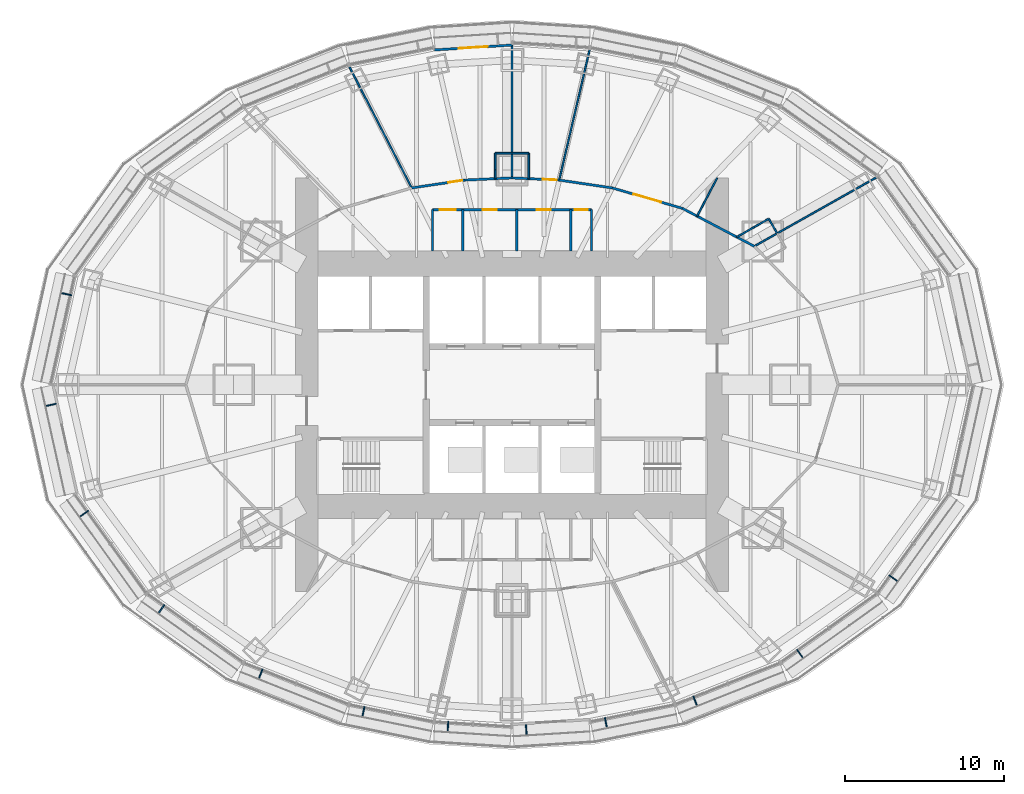
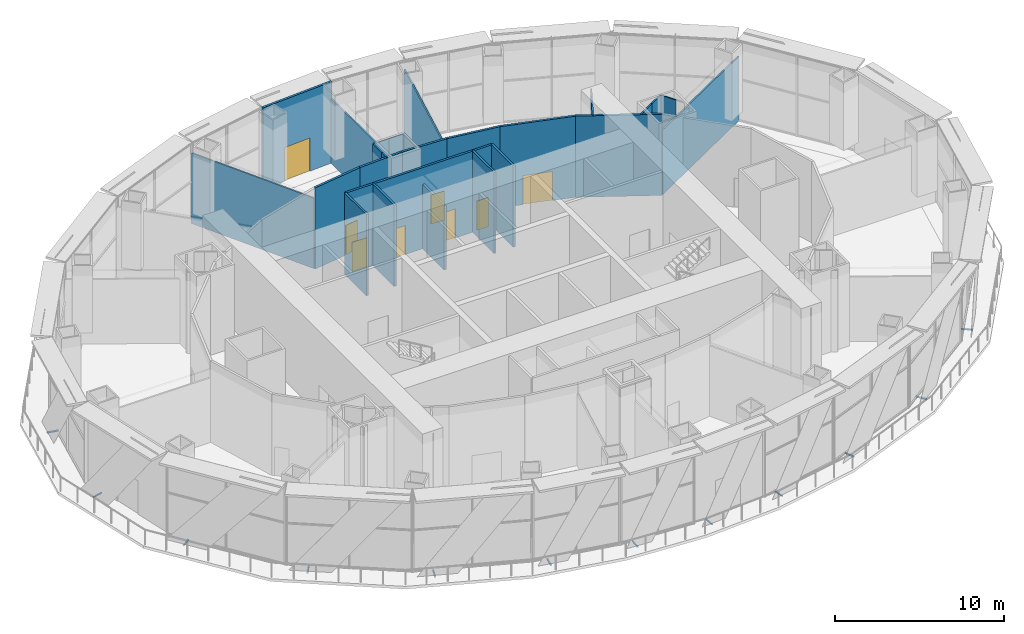
# One storey, part 14 of 21: 26 walls, 12 discrete accessories, 8 doors, 8 openings.
"""IFC4 building model written with IfcOpenShell, lengths in metres."""

from ifc_helpers import new_model, si_unit, direction, frame, frame_2d, origin, origin_2d, place, context, subcontext, project, spatial, rectangle, extrude, material, layer, layer_set, type_object, element, fill, save


model = new_model("IFC4")

# Units and contexts
model_context = context("Model", 3, precision=1e-05, world=origin(), true_north=direction((0.0, 1.0)))
body_context = subcontext(model_context, "Body", "Model", "MODEL_VIEW")
ifc_project = project(units=[si_unit("LENGTHUNIT", "METRE"), si_unit("AREAUNIT", "SQUARE_METRE"), si_unit("VOLUMEUNIT", "CUBIC_METRE"), si_unit("PLANEANGLEUNIT", "RADIAN"), si_unit("MASSUNIT", "GRAM", prefix="KILO")], contexts=[model_context])

# Site, building, storey
site_placement = place(None, origin())
site = spatial("IfcSite", under=ifc_project, at=site_placement, CompositionType="ELEMENT")
building_placement = place(site_placement, origin())
building = spatial("IfcBuilding", under=site, at=building_placement, Name="Lantaw Convention Tower", CompositionType="ELEMENT")
storey_placement = place(building_placement, frame((0.0, 0.0, 111.39990234375)))
storey = spatial("IfcBuildingStorey", under=building, at=storey_placement, Name="L26", CompositionType="ELEMENT", Elevation=111.39990234375)

# Walls
ifc_material_1 = material(Name="Fire-rated board casing on steel studs", Category="steel")
ifc_layer_1 = layer(ifc_material_1, 0.10009765625)
ifc_layer_set_1 = layer_set([ifc_layer_1], Name="Casing wall 100 EI 120")
wall_type_1 = type_object("IfcWallType", Name="Casing wall 100 EI 120", PredefinedType="PARTITIONING", material=ifc_layer_set_1)
wall_1_placement = place(storey_placement, frame((14.128173828125, 9.28271484375, 0.0), z_axis=(0.0, 0.0, 1.0), x_axis=(0.868290539594, 0.496055983587, 0.0)))
element("IfcWall", 1, at=wall_1_placement, inside=storey, type_object=wall_type_1, Name="Casing wall 100", PredefinedType="PARTITIONING", context=body_context, shape_type="SweptSolid", body=[
    extrude(rectangle(XDim=1.267822265625, YDim=0.10009765625, at=frame_2d((0.6337890625, 0.0))), origin(), (0.0, 0.0, 1.0), 5.85009765625),
])
for number, where, z_axis, x_axis, name in (
    (2, (15.22900390625, 9.91162109375, 0.0), (0.0, 0.0, 1.0), (0.868214523334, 0.496189017888, 0.0), "Casing wall 100"),
    (3, (16.140625, 10.4326171875, 0.0), (0.0, 0.0, 1.0), (0.496189017888, -0.868214523334, 0.0), "Casing wall 100"),
):
    element("IfcWall", number, at=place(storey_placement, frame(where, z_axis=z_axis, x_axis=x_axis)), inside=storey, type_object=wall_type_1, Name=name, PredefinedType="PARTITIONING", context=body_context, shape_type="SweptSolid", body=[
        extrude(rectangle(XDim=1.050048828125, YDim=0.10009765625, at=frame_2d((0.52490234375, 0.0))), origin(), (0.0, 0.0, 1.0), 5.85009765625),
    ])
wall_2_placement = place(storey_placement, frame((-1.050048828125, 12.951416015625, 0.0), z_axis=(0.0, 0.0, 1.0), x_axis=(0.0, 1.0, 0.0)))
element("IfcWall", 4, at=wall_2_placement, inside=storey, type_object=wall_type_1, Name="Casing wall 100", PredefinedType="PARTITIONING", context=body_context, shape_type="SweptSolid", body=[
    extrude(rectangle(XDim=0.548583984375, YDim=0.10009765625, at=frame_2d((0.2744140625, 0.0))), origin(), (0.0, 0.0, 1.0), 5.85009765625),
])
for number, where, z_axis, x_axis, name in (
    (5, (-1.050048828125, 13.5, 0.0), (0.0, 0.0, 1.0), (0.0, 1.0, 0.0), "Casing wall 100"),
    (6, (-1.050048828125, 14.550048828125, 0.0), (0.0, 0.0, 1.0), (1.0, 0.0, 0.0), "Casing wall 100"),
    (7, (0.0, 14.550048828125, 0.0), (0.0, 0.0, 1.0), (1.0, 0.0, 0.0), "Casing wall 100"),
):
    element("IfcWall", number, at=place(storey_placement, frame(where, z_axis=z_axis, x_axis=x_axis)), inside=storey, type_object=wall_type_1, Name=name, PredefinedType="PARTITIONING", context=body_context, shape_type="SweptSolid", body=[
        extrude(rectangle(XDim=1.050048828125, YDim=0.10009765625, at=frame_2d((0.52490234375, 0.0))), origin(), (0.0, 0.0, 1.0), 5.85009765625),
    ])
wall_3_placement = place(storey_placement, frame((1.050048828125, 14.550048828125, 0.0), z_axis=(0.0, 0.0, 1.0), x_axis=(0.0, -1.0, 0.0)))
element("IfcWall", 8, at=wall_3_placement, inside=storey, type_object=wall_type_1, Name="Casing wall 100", PredefinedType="PARTITIONING", context=body_context, shape_type="SweptSolid", body=[
    extrude(rectangle(XDim=1.5986328125, YDim=0.10009765625, at=frame_2d((0.79931640625, 0.0))), origin(), (0.0, 0.0, 1.0), 5.85009765625),
])
ifc_material_2 = material(Name="Gypsum board on steel studs, fire rated", Category="steel")
ifc_layer_2 = layer(ifc_material_2, 0.14990234375)
ifc_layer_set_2 = layer_set([ifc_layer_2], Name="Corridor wall 150 EI 60")
wall_type_2 = type_object("IfcWallType", Name="Corridor wall 150 EI 60", PredefinedType="PARTITIONING", material=ifc_layer_set_2)
wall_4_placement = place(storey_placement, frame((15.229248046875, 8.702392578125, 0.0), z_axis=(0.0, 0.0, 1.0), x_axis=(-0.884643590306, 0.466267860924, 0.0)))
element("IfcWall", 9, at=wall_4_placement, inside=storey, type_object=wall_type_2, Name="Corridor wall 150", PredefinedType="PARTITIONING", context=body_context, shape_type="SweptSolid", body=[
    extrude(rectangle(XDim=5.113037109375, YDim=0.14990234375, at=frame_2d((2.556640625, 0.0))), origin(), (0.0, 0.0, 1.0), 5.85009765625),
])

# Wall, opening, door
wall_5_placement = place(storey_placement, frame((10.7060546875, 11.08642578125, 0.0), z_axis=(0.0, 0.0, 1.0), x_axis=(-0.96001728753, 0.279940721659, 0.0)))
wall_5 = element("IfcWall", 10, at=wall_5_placement, inside=storey, type_object=wall_type_2, Name="Corridor wall 150", PredefinedType="PARTITIONING", context=body_context, shape_type="SweptSolid", body=[
    extrude(rectangle(XDim=4.58642578125, YDim=0.14990234375, at=frame_2d((2.293212890625, 0.0))), origin(), (0.0, 0.0, 1.0), 5.85009765625),
])
opening_1_placement = place(wall_5_placement, frame((1.393310546875, 0.0, 0.0)))
opening_1 = element("IfcOpeningElement", 11, at=opening_1_placement, cuts=wall_5, Name="Opening L26.26", PredefinedType="OPENING", context=body_context, shape_type="SweptSolid", body=[
    extrude(rectangle(XDim=1.800048828125, YDim=2.10009765625, at=frame_2d((0.89990234375, 1.050048828125))), frame((0.0, 0.0849609375, 0.0), z_axis=(0.0, -1.0, 0.0), x_axis=(1.0, 0.0, 0.0)), (0.0, 0.0, 1.0), 0.169921875),
])
ifc_material_3 = material(Name="Steel, fire rated", Category="steel")
door_type_1 = type_object("IfcDoorType", Name="Office double door 1800 FD30", OperationType="DOUBLE_DOOR_DOUBLE_SWING", PredefinedType="DOOR", material=ifc_material_3)
door_1_placement = place(opening_1_placement, origin())
door_1 = element("IfcDoor", 12, at=door_1_placement, inside=storey, type_object=door_type_1, Name="Building management office door", OperationType="DOUBLE_DOOR_DOUBLE_SWING", OverallHeight=2.10009765625, OverallWidth=1.800048828125, PredefinedType="DOOR", context=body_context, shape_type="SweptSolid", body=[
    extrude(rectangle(XDim=1.800048828125, YDim=2.10009765625, at=frame_2d((0.89990234375, 1.050048828125))), frame((0.0, 0.02490234375, 0.0), z_axis=(0.0, -1.0, 0.0), x_axis=(1.0, 0.0, 0.0)), (0.0, 0.0, 1.0), 0.050048828125),
])
fill(opening_1, door_1)

# Wall
wall_6_placement = place(storey_placement, frame((6.302978515625, 12.370361328125, 0.0), z_axis=(0.0, 0.0, 1.0), x_axis=(-0.989262902935, 0.146146874329, 0.0)))
element("IfcWall", 13, at=wall_6_placement, inside=storey, type_object=wall_type_2, Name="Corridor wall 150", PredefinedType="PARTITIONING", context=body_context, shape_type="SweptSolid", body=[
    extrude(rectangle(XDim=3.369384765625, YDim=0.14990234375, at=frame_2d((1.6845703125, 0.0))), origin(), (0.0, 0.0, 1.0), 5.85009765625),
])

# Wall, opening, door
wall_7_placement = place(storey_placement, frame((2.9697265625, 12.86279296875, 0.0), z_axis=(0.0, 0.0, 1.0), x_axis=(-0.998934397568, 0.046152674403, 0.0)))
wall_7 = element("IfcWall", 14, at=wall_7_placement, inside=storey, type_object=wall_type_2, Name="Corridor wall 150", PredefinedType="PARTITIONING", context=body_context, shape_type="SweptSolid", body=[
    extrude(rectangle(XDim=2.972900390625, YDim=0.14990234375, at=frame_2d((1.486328125, 0.0))), origin(), (0.0, 0.0, 1.0), 5.85009765625),
])
opening_2_placement = place(wall_7_placement, frame((0.14990234375, 0.0, 0.0)))
opening_2 = element("IfcOpeningElement", 15, at=opening_2_placement, cuts=wall_7, Name="Opening L26.27", PredefinedType="OPENING", context=body_context, shape_type="SweptSolid", body=[
    extrude(rectangle(XDim=0.89990234375, YDim=2.10009765625, at=frame_2d((0.449951171875, 1.050048828125))), frame((0.0, 0.0849609375, 0.0), z_axis=(0.0, -1.0, 0.0), x_axis=(1.0, 0.0, 0.0)), (0.0, 0.0, 1.0), 0.169921875),
])
door_type_2 = type_object("IfcDoorType", Name="Office door 900 FD30", OperationType="SINGLE_SWING_LEFT", PredefinedType="DOOR", material=ifc_material_3)
door_2_placement = place(opening_2_placement, origin())
door_2 = element("IfcDoor", 16, at=door_2_placement, inside=storey, type_object=door_type_2, Name="First-aid room door", OperationType="SINGLE_SWING_LEFT", OverallHeight=2.10009765625, OverallWidth=0.89990234375, PredefinedType="DOOR", context=body_context, shape_type="SweptSolid", body=[
    extrude(rectangle(XDim=0.89990234375, YDim=2.10009765625, at=frame_2d((0.449951171875, 1.050048828125))), frame((0.0, 0.02490234375, 0.0), z_axis=(0.0, -1.0, 0.0), x_axis=(1.0, 0.0, 0.0)), (0.0, 0.0, 1.0), 0.050048828125),
])
fill(opening_2, door_2)

# Wall
wall_8_placement = place(storey_placement, frame((0.0, 13.0, 0.0), z_axis=(0.0, 0.0, 1.0), x_axis=(-0.998934397568, -0.046152674403, 0.0)))
element("IfcWall", 17, at=wall_8_placement, inside=storey, type_object=wall_type_2, Name="Corridor wall 150", PredefinedType="PARTITIONING", context=body_context, shape_type="SweptSolid", body=[
    extrude(rectangle(XDim=2.972900390625, YDim=0.14990234375, at=frame_2d((1.486328125, 0.0))), origin(), (0.0, 0.0, 1.0), 5.85009765625),
])

# Wall, opening, door
wall_9_placement = place(storey_placement, frame((-2.9697265625, 12.86279296875, 0.0), z_axis=(0.0, 0.0, 1.0), x_axis=(-0.989262902935, -0.146146874329, 0.0)))
wall_9 = element("IfcWall", 18, at=wall_9_placement, inside=storey, type_object=wall_type_2, Name="Corridor wall 150", PredefinedType="PARTITIONING", context=body_context, shape_type="SweptSolid", body=[
    extrude(rectangle(XDim=3.369384765625, YDim=0.14990234375, at=frame_2d((1.6845703125, 0.0))), origin(), (0.0, 0.0, 1.0), 5.85009765625),
])
opening_3_placement = place(wall_9_placement, frame((0.14990234375, 0.0, 0.0)))
opening_3 = element("IfcOpeningElement", 19, at=opening_3_placement, cuts=wall_9, Name="Opening L26.28", PredefinedType="OPENING", context=body_context, shape_type="SweptSolid", body=[
    extrude(rectangle(XDim=0.89990234375, YDim=2.10009765625, at=frame_2d((0.449951171875, 1.050048828125))), frame((0.0, 0.0849609375, 0.0), z_axis=(0.0, -1.0, 0.0), x_axis=(1.0, 0.0, 0.0)), (0.0, 0.0, 1.0), 0.169921875),
])
door_3_placement = place(opening_3_placement, origin())
door_3 = element("IfcDoor", 20, at=door_3_placement, inside=storey, type_object=door_type_2, Name="Fitness centre door", OperationType="SINGLE_SWING_LEFT", OverallHeight=2.10009765625, OverallWidth=0.89990234375, PredefinedType="DOOR", context=body_context, shape_type="SweptSolid", body=[
    extrude(rectangle(XDim=0.89990234375, YDim=2.10009765625, at=frame_2d((0.449951171875, 1.050048828125))), frame((0.0, 0.02490234375, 0.0), z_axis=(0.0, -1.0, 0.0), x_axis=(1.0, 0.0, 0.0)), (0.0, 0.0, 1.0), 0.050048828125),
])
fill(opening_3, door_3)

ifc_material_4 = material(Name="Aluminium framed glazing", Category="aluminium")
ifc_layer_3 = layer(ifc_material_4, 0.14990234375)
ifc_layer_set_3 = layer_set([ifc_layer_3], Name="Glazed entrance screen 150")
wall_type_3 = type_object("IfcWallType", Name="Glazed entrance screen 150", PredefinedType="ELEMENTEDWALL", material=ifc_layer_set_3)
wall_10_placement = place(storey_placement, frame((0.009521484375, 21.350341796875, 0.0), z_axis=(0.0, 0.0, 1.0), x_axis=(-0.998023012605, -0.062849552989, 0.0)))
wall_10 = element("IfcWall", 21, at=wall_10_placement, inside=storey, type_object=wall_type_3, Name="Glazed entrance screen", PredefinedType="ELEMENTEDWALL", context=body_context, shape_type="SweptSolid", body=[
    extrude(rectangle(XDim=4.90234375, YDim=0.14990234375, at=frame_2d((2.451171875, 0.0))), origin(), (0.0, 0.0, 1.0), 5.85009765625),
])
opening_4_placement = place(wall_10_placement, frame((1.551025390625, 0.0, 0.0)))
opening_4 = element("IfcOpeningElement", 22, at=opening_4_placement, cuts=wall_10, Name="Opening L26.E06", PredefinedType="OPENING", context=body_context, shape_type="SweptSolid", body=[
    extrude(rectangle(XDim=1.800048828125, YDim=2.39990234375, at=frame_2d((0.89990234375, 1.199951171875))), frame((0.0, 0.0849609375, 0.0), z_axis=(0.0, -1.0, 0.0), x_axis=(1.0, 0.0, 0.0)), (0.0, 0.0, 1.0), 0.169921875),
])
ifc_material_5 = material(Name="Aluminium and glass", Category="aluminium")
door_type_3 = type_object("IfcDoorType", Name="Terrace door 1800", OperationType="DOUBLE_DOOR_DOUBLE_SWING", PredefinedType="DOOR", material=ifc_material_5)
door_4_placement = place(opening_4_placement, origin())
door_4 = element("IfcDoor", 23, at=door_4_placement, inside=storey, type_object=door_type_3, Name="Terrace door", OperationType="DOUBLE_DOOR_DOUBLE_SWING", OverallHeight=2.39990234375, OverallWidth=1.800048828125, PredefinedType="DOOR", context=body_context, shape_type="SweptSolid", body=[
    extrude(rectangle(XDim=1.800048828125, YDim=2.39990234375, at=frame_2d((0.89990234375, 1.199951171875))), frame((0.0, 0.02490234375, 0.0), z_axis=(0.0, -1.0, 0.0), x_axis=(1.0, 0.0, 0.0)), (0.0, 0.0, 1.0), 0.050048828125),
])
fill(opening_4, door_4)

# Walls
ifc_material_6 = material(Name="Gypsum board on steel studs, acoustic", Category="steel")
ifc_layer_4 = layer(ifc_material_6, 0.10009765625)
ifc_layer_set_4 = layer_set([ifc_layer_4], Name="Office partition 100")
wall_type_4 = type_object("IfcWallType", Name="Office partition 100", PredefinedType="PARTITIONING", material=ifc_layer_set_4)
wall_11_placement = place(storey_placement, frame((22.94921875, 13.05908203125, 0.0), z_axis=(0.0, 0.0, 1.0), x_axis=(-0.870889908693, -0.491478144923, 0.0)))
element("IfcWall", 24, at=wall_11_placement, inside=storey, type_object=wall_type_4, Name="Office partition 100", PredefinedType="PARTITIONING", context=body_context, shape_type="SweptSolid", body=[
    extrude(rectangle(XDim=8.864501953125, YDim=0.10009765625, at=frame_2d((4.43212890625, 0.0))), origin(), (0.0, 0.0, 1.0), 4.650146484375),
])
wall_12_placement = place(storey_placement, frame((4.89697265625, 21.134765625, 0.0), z_axis=(0.0, 0.0, 1.0), x_axis=(-0.226907932986, -0.973916213002, 0.0)))
element("IfcWall", 25, at=wall_12_placement, inside=storey, type_object=wall_type_4, Name="Office partition 100", PredefinedType="PARTITIONING", context=body_context, shape_type="SweptSolid", body=[
    extrude(rectangle(XDim=8.493408203125, YDim=0.10009765625, at=frame_2d((4.24658203125, 0.0))), origin(), (0.0, 0.0, 1.0), 5.149169921875),
])
wall_13_placement = place(storey_placement, frame((0.0, 21.32470703125, 0.0), z_axis=(0.0, 0.0, 1.0), x_axis=(0.0, -1.0, 0.0)))
element("IfcWall", 26, at=wall_13_placement, inside=storey, type_object=wall_type_4, Name="Office partition 100", PredefinedType="PARTITIONING", context=body_context, shape_type="SweptSolid", body=[
    extrude(rectangle(XDim=8.32470703125, YDim=0.10009765625, at=frame_2d((4.162353515625, 0.0))), origin(), (0.0, 0.0, 1.0), 4.650146484375),
])
wall_14_placement = place(storey_placement, frame((-10.253173828125, 20.0517578125, 0.0), z_axis=(0.0, 0.0, 1.0), x_axis=(0.457326298316, -0.88929896934, 0.0)))
element("IfcWall", 27, at=wall_14_placement, inside=storey, type_object=wall_type_4, Name="Office partition 100", PredefinedType="PARTITIONING", context=body_context, shape_type="SweptSolid", body=[
    extrude(rectangle(XDim=8.6376953125, YDim=0.10009765625, at=frame_2d((4.31884765625, 0.0))), origin(), (0.0, 0.0, 1.0), 5.08056640625),
])
wall_15_placement = place(storey_placement, frame((12.89990234375, 13.0, 0.0), z_axis=(0.0, 0.0, 1.0), x_axis=(-0.466205800243, -0.884676297761, 0.0)))
element("IfcWall", 28, at=wall_15_placement, inside=storey, type_object=wall_type_4, Name="Office partition 100", PredefinedType="PARTITIONING", context=body_context, shape_type="SweptSolid", body=[
    extrude(rectangle(XDim=2.7158203125, YDim=0.10009765625, at=frame_2d((1.35791015625, 0.0))), origin(), (0.0, 0.0, 1.0), 5.85009765625),
])

# Wall, openings, doors
ifc_material_7 = material(Name="Concrete blockwork", Category="masonry")
ifc_layer_5 = layer(ifc_material_7, 0.14990234375)
ifc_layer_set_5 = layer_set([ifc_layer_5], Name="WC wall 150")
wall_type_5 = type_object("IfcWallType", Name="WC wall 150", PredefinedType="SOLIDWALL", material=ifc_layer_set_5)
wall_16_placement = place(storey_placement, frame((-5.0, 11.007080078125, 0.0), z_axis=(0.0, 0.0, 1.0), x_axis=(1.0, 0.0, 0.0)))
wall_16 = element("IfcWall", 29, at=wall_16_placement, inside=storey, type_object=wall_type_5, Name="WC wall 150", PredefinedType="SOLIDWALL", context=body_context, shape_type="SweptSolid", body=[
    extrude(rectangle(XDim=10.0, YDim=0.14990234375, at=frame_2d((5.0, 0.0))), origin(), (0.0, 0.0, 1.0), 5.85009765625),
])
opening_5_placement = place(wall_16_placement, frame((0.449951171875, 0.0, 0.0)))
opening_5 = element("IfcOpeningElement", 30, at=opening_5_placement, cuts=wall_16, Name="Opening L26.17", PredefinedType="OPENING", context=body_context, shape_type="SweptSolid", body=[
    extrude(rectangle(XDim=1.0, YDim=2.10009765625, at=frame_2d((0.5, 1.050048828125))), frame((0.0, 0.0849609375, 0.0), z_axis=(0.0, -1.0, 0.0), x_axis=(1.0, 0.0, 0.0)), (0.0, 0.0, 1.0), 0.169921875),
])
opening_6_placement = place(wall_16_placement, frame((3.14990234375, 0.0, 0.0)))
opening_6 = element("IfcOpeningElement", 31, at=opening_6_placement, cuts=wall_16, Name="Opening L26.18", PredefinedType="OPENING", context=body_context, shape_type="SweptSolid", body=[
    extrude(rectangle(XDim=0.89990234375, YDim=2.10009765625, at=frame_2d((0.449951171875, 1.050048828125))), frame((0.0, 0.0849609375, 0.0), z_axis=(0.0, -1.0, 0.0), x_axis=(1.0, 0.0, 0.0)), (0.0, 0.0, 1.0), 0.169921875),
])
opening_7_placement = place(wall_16_placement, frame((6.550048828125, 0.0, 0.0)))
opening_7 = element("IfcOpeningElement", 32, at=opening_7_placement, cuts=wall_16, Name="Opening L26.19", PredefinedType="OPENING", context=body_context, shape_type="SweptSolid", body=[
    extrude(rectangle(XDim=0.89990234375, YDim=2.10009765625, at=frame_2d((0.449951171875, 1.050048828125))), frame((0.0, 0.0849609375, 0.0), z_axis=(0.0, -1.0, 0.0), x_axis=(1.0, 0.0, 0.0)), (0.0, 0.0, 1.0), 0.169921875),
])
opening_8_placement = place(wall_16_placement, frame((8.949951171875, 0.0, 0.0)))
opening_8 = element("IfcOpeningElement", 33, at=opening_8_placement, cuts=wall_16, Name="Opening L26.20", PredefinedType="OPENING", context=body_context, shape_type="SweptSolid", body=[
    extrude(rectangle(XDim=0.800048828125, YDim=2.10009765625, at=frame_2d((0.39990234375, 1.050048828125))), frame((0.0, 0.0849609375, 0.0), z_axis=(0.0, -1.0, 0.0), x_axis=(1.0, 0.0, 0.0)), (0.0, 0.0, 1.0), 0.169921875),
])
ifc_material_8 = material(Name="Timber", Category="wood")
door_type_4 = type_object("IfcDoorType", Name="Accessible WC door 1000", OperationType="SINGLE_SWING_LEFT", PredefinedType="DOOR", material=ifc_material_8)
door_5_placement = place(opening_5_placement, origin())
door_5 = element("IfcDoor", 34, at=door_5_placement, inside=storey, type_object=door_type_4, Name="Accessible WC door", OperationType="SINGLE_SWING_LEFT", OverallHeight=2.10009765625, OverallWidth=1.0, PredefinedType="DOOR", context=body_context, shape_type="SweptSolid", body=[
    extrude(rectangle(XDim=1.0, YDim=2.10009765625, at=frame_2d((0.5, 1.050048828125))), frame((0.0, 0.02490234375, 0.0), z_axis=(0.0, -1.0, 0.0), x_axis=(1.0, 0.0, 0.0)), (0.0, 0.0, 1.0), 0.050048828125),
])
fill(opening_5, door_5)
door_type_5 = type_object("IfcDoorType", Name="WC door 800", OperationType="SINGLE_SWING_LEFT", PredefinedType="DOOR", material=ifc_material_8)
door_6_placement = place(opening_8_placement, origin())
door_6 = element("IfcDoor", 35, at=door_6_placement, inside=storey, type_object=door_type_5, Name="Cleaner's store door", OperationType="SINGLE_SWING_LEFT", OverallHeight=2.10009765625, OverallWidth=0.800048828125, PredefinedType="DOOR", context=body_context, shape_type="SweptSolid", body=[
    extrude(rectangle(XDim=0.800048828125, YDim=2.10009765625, at=frame_2d((0.39990234375, 1.050048828125))), frame((0.0, 0.02490234375, 0.0), z_axis=(0.0, -1.0, 0.0), x_axis=(1.0, 0.0, 0.0)), (0.0, 0.0, 1.0), 0.050048828125),
])
fill(opening_8, door_6)
door_type_6 = type_object("IfcDoorType", Name="WC door 900", OperationType="SINGLE_SWING_LEFT", PredefinedType="DOOR", material=ifc_material_8)
door_7_placement = place(opening_6_placement, origin())
door_7 = element("IfcDoor", 36, at=door_7_placement, inside=storey, type_object=door_type_6, Name="Male WC door", OperationType="SINGLE_SWING_LEFT", OverallHeight=2.10009765625, OverallWidth=0.89990234375, PredefinedType="DOOR", context=body_context, shape_type="SweptSolid", body=[
    extrude(rectangle(XDim=0.89990234375, YDim=2.10009765625, at=frame_2d((0.449951171875, 1.050048828125))), frame((0.0, 0.02490234375, 0.0), z_axis=(0.0, -1.0, 0.0), x_axis=(1.0, 0.0, 0.0)), (0.0, 0.0, 1.0), 0.050048828125),
])
fill(opening_6, door_7)
door_8_placement = place(opening_7_placement, origin())
door_8 = element("IfcDoor", 37, at=door_8_placement, inside=storey, type_object=door_type_6, Name="Female WC door", OperationType="SINGLE_SWING_LEFT", OverallHeight=2.10009765625, OverallWidth=0.89990234375, PredefinedType="DOOR", context=body_context, shape_type="SweptSolid", body=[
    extrude(rectangle(XDim=0.89990234375, YDim=2.10009765625, at=frame_2d((0.449951171875, 1.050048828125))), frame((0.0, 0.02490234375, 0.0), z_axis=(0.0, -1.0, 0.0), x_axis=(1.0, 0.0, 0.0)), (0.0, 0.0, 1.0), 0.050048828125),
])
fill(opening_7, door_8)

# Walls
for number, where, z_axis, x_axis, name in (
    (38, (-5.0, 8.39990234375, 0.0), (0.0, 0.0, 1.0), (0.0, 1.0, 0.0), "WC wall 150"),
    (39, (5.0, 8.39990234375, 0.0), (0.0, 0.0, 1.0), (0.0, 1.0, 0.0), "WC wall 150"),
    (40, (-3.10009765625, 8.39990234375, 0.0), (0.0, 0.0, 1.0), (0.0, 1.0, 0.0), "WC wall 150"),
):
    element("IfcWall", number, at=place(storey_placement, frame(where, z_axis=z_axis, x_axis=x_axis)), inside=storey, type_object=wall_type_5, Name=name, PredefinedType="SOLIDWALL", context=body_context, shape_type="SweptSolid", body=[
        extrude(rectangle(XDim=2.607177734375, YDim=0.14990234375, at=frame_2d((1.3037109375, 0.0))), origin(), (0.0, 0.0, 1.0), 5.85009765625),
    ])
wall_17_placement = place(storey_placement, frame((0.300048828125, 8.39990234375, 0.0), z_axis=(0.0, 0.0, 1.0), x_axis=(0.0, 1.0, 0.0)))
element("IfcWall", 41, at=wall_17_placement, inside=storey, type_object=wall_type_5, Name="WC wall 150", PredefinedType="SOLIDWALL", context=body_context, shape_type="SweptSolid", body=[
    extrude(rectangle(XDim=2.607177734375, YDim=0.14990234375, at=frame_2d((1.3037109375, 0.0))), origin(), (0.0, 0.0, 1.0), 4.650146484375),
])
wall_18_placement = place(storey_placement, frame((3.699951171875, 8.39990234375, 0.0), z_axis=(0.0, 0.0, 1.0), x_axis=(0.0, 1.0, 0.0)))
element("IfcWall", 42, at=wall_18_placement, inside=storey, type_object=wall_type_5, Name="WC wall 150", PredefinedType="SOLIDWALL", context=body_context, shape_type="SweptSolid", body=[
    extrude(rectangle(XDim=2.607177734375, YDim=0.14990234375, at=frame_2d((1.3037109375, 0.0))), origin(), (0.0, 0.0, 1.0), 5.85009765625),
])

# Discrete accessories
for number, where, z_axis, x_axis, name in (
    (43, (-28.008056640625, 5.6953125, -0.139892578125), (0.0, 0.0, 1.0), (-0.215546166174, -0.9764936509, 0.0), "Screen bracket"),
    (44, (-28.98486328125, -1.269775390625, -0.139892578125), (0.0, 0.0, 1.0), (0.215546166174, -0.9764936509, 0.0), "Screen bracket"),
    (45, (-26.900146484375, -8.111572265625, -0.139892578125), (0.0, 0.0, 1.0), (0.584512597221, -0.811384633629, 0.0), "Screen bracket"),
    (46, (-22.044189453125, -14.10546875, -0.139892578125), (0.0, 0.0, 1.0), (0.813208325995, -0.581972695693, 0.0), "Screen bracket"),
    (47, (-15.802978515625, -18.18798828125, -0.139892578125), (0.0, 0.0, 1.0), (0.929547687544, -0.368701907483, 0.0), "Screen bracket"),
    (48, (-9.339599609375, -20.56005859375, -0.139892578125), (0.0, 0.0, 1.0), (0.980301514912, -0.197506809659, 0.0), "Screen bracket"),
    (49, (-4.027099609375, -21.505859375, -0.139892578125), (0.0, 0.0, 1.0), (0.998022035978, -0.062865059466, 0.0), "Screen bracket"),
    (50, (0.89794921875, -21.702880859375, -0.139892578125), (0.0, 0.0, 1.0), (0.998022035978, 0.062865059466, 0.0), "Screen bracket"),
    (51, (5.903076171875, -21.25244140625, -0.139892578125), (0.0, 0.0, 1.0), (0.980301514912, 0.197506809659, 0.0), "Screen bracket"),
    (52, (11.517822265625, -19.887939453125, -0.139892578125), (0.0, 0.0, 1.0), (0.929547687544, 0.368701907483, 0.0), "Screen bracket"),
    (53, (18.10791015625, -16.922607421875, -0.139892578125), (0.0, 0.0, 1.0), (0.813208325995, 0.581972695693, 0.0), "Screen bracket"),
    (54, (23.9765625, -12.169677734375, -0.139892578125), (0.0, 0.0, 1.0), (0.584512597221, 0.811384633629, 0.0), "Screen bracket"),
):
    element("IfcDiscreteAccessory", number, at=place(storey_placement, frame(where, z_axis=z_axis, x_axis=x_axis)), inside=storey, Name=name, PredefinedType="BRACKET", context=body_context, shape_type="SweptSolid", body=[
        extrude(rectangle(XDim=0.080078125, YDim=0.68798828125, at=origin_2d()), origin(), (0.0, 0.0, 1.0), 0.080078125),
    ])

save(model, "model.ifc")
